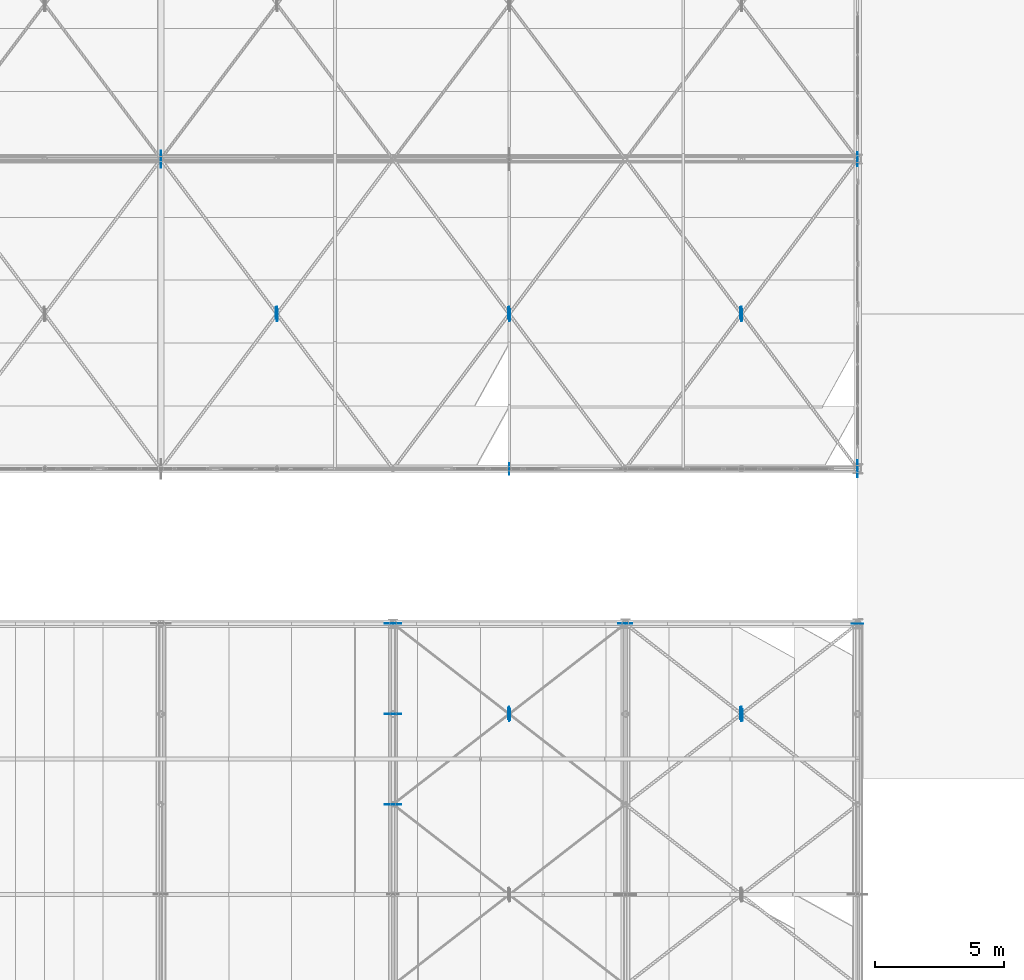
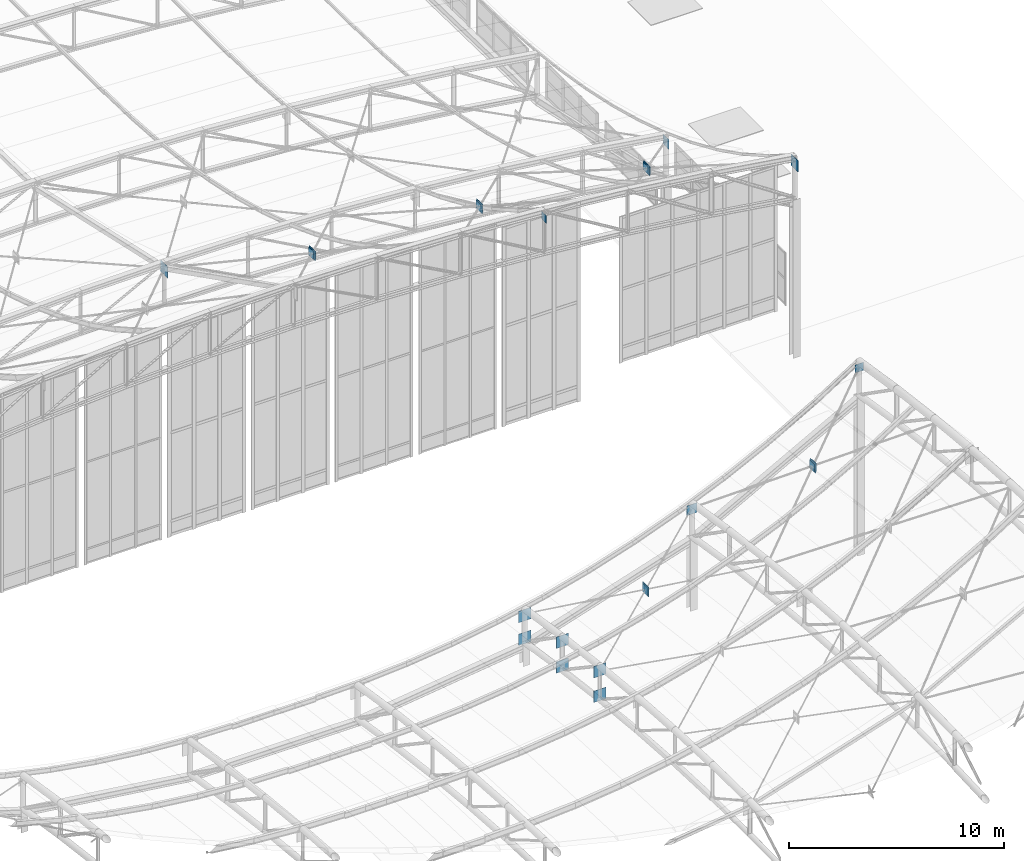
# One storey, part 243 of 262: 27 plates.
"""IFC4 building model written with IfcOpenShell, lengths in metres."""

from ifc_helpers import new_model, si_unit, derived_unit, direction, frame, origin, origin_2d, place, context, subcontext, project, spatial, rectangle, extrude, material, layer, layer_set, type_object, element, save


model = new_model("IFC4")

# Units and contexts
model_context = context("Model", 3, precision=1e-05, world=origin(), true_north=direction((0.0, 1.0)))
body_context = subcontext(model_context, "Body", "Model", "MODEL_VIEW")
ifc_project = project(units=[si_unit("LENGTHUNIT", "METRE"), si_unit("AREAUNIT", "SQUARE_METRE"), si_unit("VOLUMEUNIT", "CUBIC_METRE"), si_unit("PLANEANGLEUNIT", "RADIAN"), si_unit("MASSUNIT", "GRAM", prefix="KILO"), derived_unit("THERMALTRANSMITTANCEUNIT", [(si_unit("POWERUNIT", "WATT"), 1), (si_unit("LENGTHUNIT", "METRE"), -2), (si_unit("THERMODYNAMICTEMPERATUREUNIT", "KELVIN"), -1)])], contexts=[model_context])

# Site, building, storey
site_placement = place(None, origin())
site = spatial("IfcSite", under=ifc_project, at=site_placement, CompositionType="ELEMENT")
building_placement = place(site_placement, origin())
building = spatial("IfcBuilding", under=site, at=building_placement, Name="Almenara Railside Exhibition Hall", CompositionType="ELEMENT")
storey_placement = place(building_placement, frame((0.0, 0.0, 21.699951171875)))
storey = spatial("IfcBuildingStorey", under=building, at=storey_placement, Name="RF", CompositionType="ELEMENT", Elevation=21.699951171875)

# Plates
ifc_material = material(Name="Structural steel S355JR", Category="steel")
ifc_layer_1 = layer(ifc_material, 0.011962890625, Name="Structural steel S355JR")
ifc_layer_set_1 = layer_set([ifc_layer_1], Name="Structural steel S355JR")
plate_type_1 = type_object("IfcPlateType", Name="Truss Node Gusset Plate 12mm S355JR", PredefinedType="USERDEFINED", material=ifc_layer_set_1)
for number, where, z_axis, x_axis, name in (
    (1, (52.5, 48.0, 9.97509765625), (0.0, 0.0, 1.0), (0.0, 1.0, 0.0), "PLT-GUS-0004"),
    (2, (43.531982421875, 53.95751953125, 7.4638671875), (0.0, 0.0, 1.0), (0.0, 1.0, 0.0), "PLT-GUS-0051"),
    (3, (43.468017578125, 54.04248046875, 7.4228515625), (0.0, 0.0, 1.0), (0.0, 1.0, 0.0), "PLT-GUS-0052"),
    (4, (52.5322265625, 53.956787109375, 6.9736328125), (0.0, 0.0, 1.0), (0.0, 1.0, 0.0), "PLT-GUS-0054"),
    (5, (52.4677734375, 54.043212890625, 6.935546875), (0.0, 0.0, 1.0), (0.0, 1.0, 0.0), "PLT-GUS-0055"),
    (6, (61.53271484375, 53.95654296875, 5.994140625), (0.0, 0.0, 1.0), (0.0, 1.0, 0.0), "PLT-GUS-0057"),
    (7, (61.46728515625, 54.04345703125, 5.95947265625), (0.0, 0.0, 1.0), (0.0, 1.0, 0.0), "PLT-GUS-0058"),
    (8, (66.0, 42.0, 0.3251953125), (0.0, 0.0, 1.0), (1.0, 0.0, 0.0), "PLT-GUS-0269"),
    (9, (52.4716796875, 38.522216796875, -5.4521484375), (0.0, 0.0, 1.0), (0.0, 1.0, 0.0), "PLT-GUS-0322"),
    (10, (52.5283203125, 38.477783203125, -5.427734375), (0.0, 0.0, 1.0), (0.0, 1.0, 0.0), "PLT-GUS-0323"),
    (11, (61.4599609375, 38.53125, -1.5810546875), (0.0, 0.0, 1.0), (0.0, 1.0, 0.0), "PLT-GUS-0340"),
    (12, (61.5400390625, 38.46875, -1.5283203125), (0.0, 0.0, 1.0), (0.0, 1.0, 0.0), "PLT-GUS-0341"),
):
    element("IfcPlate", number, at=place(storey_placement, frame(where, z_axis=z_axis, x_axis=x_axis)), inside=storey, type_object=plate_type_1, Name=name, ObjectType="GUSSET_PLATE", PredefinedType="USERDEFINED", context=body_context, shape_type="SweptSolid", body=[
        extrude(rectangle(XDim=0.449951171875, YDim=0.011962890625, at=origin_2d()), origin(), (0.0, 0.0, 1.0), 0.449951171875),
    ])
ifc_layer_2 = layer(ifc_material, 0.01611328125, Name="Structural steel S355JR")
ifc_layer_set_2 = layer_set([ifc_layer_2], Name="Structural steel S355JR")
plate_type_2 = type_object("IfcPlateType", Name="Truss Node Gusset Plate 16mm S355JR", PredefinedType="USERDEFINED", material=ifc_layer_set_2)
for number, where, z_axis, x_axis, name in (
    (13, (66.0, 60.0, 2.21630859375), (0.0, 0.0, 1.0), (0.0, 1.0, 0.0), "PLT-GUS-0010"),
    (14, (43.5, 54.0, 7.3935546875), (0.0, 0.0, 1.0), (0.0, 1.0, 0.0), "PLT-GUS-0050"),
    (15, (52.5, 54.0, 6.904296875), (0.0, 0.0, 1.0), (0.0, 1.0, 0.0), "PLT-GUS-0053"),
    (16, (61.5, 54.0, 5.9267578125), (0.0, 0.0, 1.0), (0.0, 1.0, 0.0), "PLT-GUS-0056"),
    (17, (57.0, 42.0, -4.6240234375), (0.0, 0.0, 1.0), (1.0, 0.0, 0.0), "PLT-GUS-0264"),
    (18, (52.5, 38.5, -5.48974609375), (0.0, 0.0, 1.0), (0.0, 1.0, 0.0), "PLT-GUS-0321"),
    (19, (61.5, 38.5, -1.6044921875), (0.0, 0.0, 1.0), (0.0, 1.0, 0.0), "PLT-GUS-0339"),
):
    element("IfcPlate", number, at=place(storey_placement, frame(where, z_axis=z_axis, x_axis=x_axis)), inside=storey, type_object=plate_type_2, Name=name, ObjectType="GUSSET_PLATE", PredefinedType="USERDEFINED", context=body_context, shape_type="SweptSolid", body=[
        extrude(rectangle(XDim=0.550048828125, YDim=0.01611328125, at=origin_2d()), origin(), (0.0, 0.0, 1.0), 0.550048828125),
    ])
ifc_layer_3 = layer(ifc_material, 0.02001953125, Name="Structural steel S355JR")
ifc_layer_set_3 = layer_set([ifc_layer_3], Name="Structural steel S355JR")
plate_type_3 = type_object("IfcPlateType", Name="Truss Node Gusset Plate 20mm S355JR", PredefinedType="USERDEFINED", material=ifc_layer_set_3)
for number, where, z_axis, x_axis, name in (
    (20, (66.0, 48.0, 8.22509765625), (0.0, 0.0, 1.0), (0.0, 1.0, 0.0), "PLT-GUS-0005"),
    (21, (39.0, 60.0, 4.3662109375), (0.0, 0.0, 1.0), (0.0, 1.0, 0.0), "PLT-GUS-0008"),
    (22, (48.0, 35.0, -6.445556640625), (0.0, 0.0, 1.0), (1.0, 0.0, 0.0), "PLT-GUS-0254"),
    (23, (48.0, 35.0, -7.845458984375), (0.0, 0.0, 1.0), (1.0, 0.0, 0.0), "PLT-GUS-0255"),
    (24, (48.0, 38.5, -6.8955078125), (0.0, 0.0, 1.0), (1.0, 0.0, 0.0), "PLT-GUS-0256"),
    (25, (48.0, 38.5, -8.29541015625), (0.0, 0.0, 1.0), (1.0, 0.0, 0.0), "PLT-GUS-0257"),
    (26, (48.0, 42.0, -7.54541015625), (0.0, 0.0, 1.0), (1.0, 0.0, 0.0), "PLT-GUS-0258"),
    (27, (48.0, 42.0, -8.845458984375), (0.0, 0.0, 1.0), (1.0, 0.0, 0.0), "PLT-GUS-0259"),
):
    element("IfcPlate", number, at=place(storey_placement, frame(where, z_axis=z_axis, x_axis=x_axis)), inside=storey, type_object=plate_type_3, Name=name, ObjectType="GUSSET_PLATE", PredefinedType="USERDEFINED", context=body_context, shape_type="SweptSolid", body=[
        extrude(rectangle(XDim=0.64990234375, YDim=0.02001953125, at=origin_2d()), origin(), (0.0, 0.0, 1.0), 0.64990234375),
    ])

save(model, "model.ifc")
